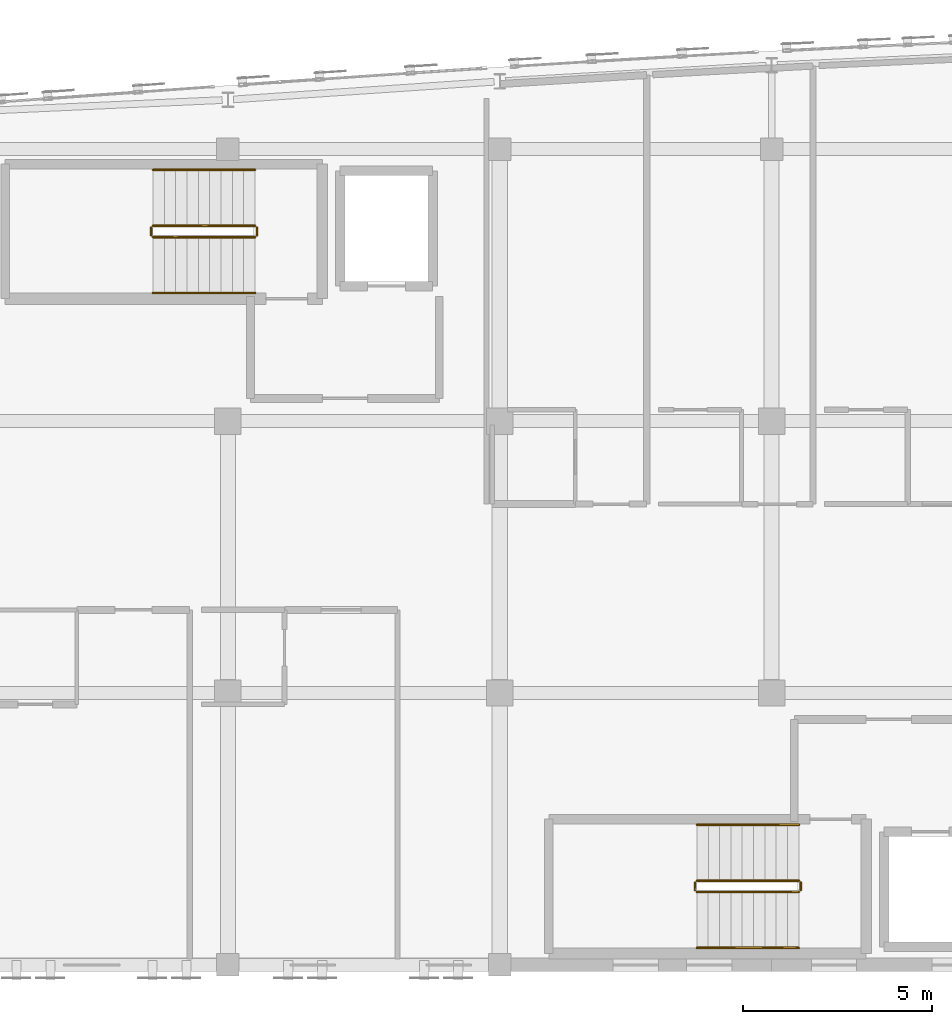
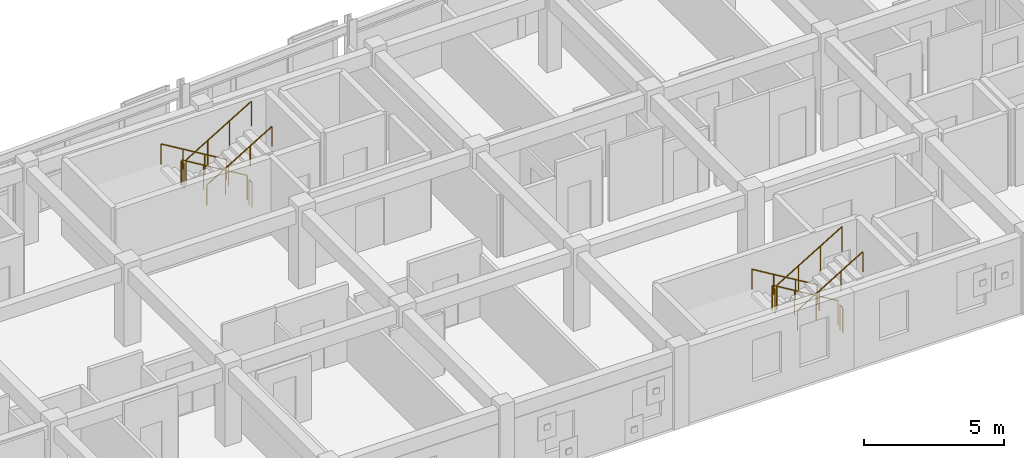
# One storey, part 47 of 48: 12 railings.
"""IFC4 building model written with IfcOpenShell, lengths in metres."""

from ifc_helpers import new_model, si_unit, direction, frame, origin, origin_2d, place, context, subcontext, project, spatial, circle, extrude, material, layer, layer_set, type_object, element, save


model = new_model("IFC4")

# Units and contexts
model_context = context("Model", 3, precision=1e-05, world=origin(), true_north=direction((0.0, 1.0)))
body_context = subcontext(model_context, "Body", "Model", "MODEL_VIEW")
ifc_project = project(units=[si_unit("LENGTHUNIT", "METRE"), si_unit("AREAUNIT", "SQUARE_METRE"), si_unit("VOLUMEUNIT", "CUBIC_METRE"), si_unit("PLANEANGLEUNIT", "RADIAN"), si_unit("MASSUNIT", "GRAM", prefix="KILO")], contexts=[model_context])

# Site, building, storey
site_placement = place(None, origin())
site = spatial("IfcSite", under=ifc_project, at=site_placement, CompositionType="ELEMENT")
building_placement = place(site_placement, origin())
building = spatial("IfcBuilding", under=site, at=building_placement, Name="Carrowvane Square Congress Hotel", CompositionType="ELEMENT")
storey_placement = place(building_placement, frame((0.0, 0.0, 26.39990234375)))
storey = spatial("IfcBuildingStorey", under=building, at=storey_placement, Name="L06", CompositionType="ELEMENT", Elevation=26.39990234375)

# Railings
ifc_material_1 = material(Name="Stainless steel 316", Category="steel")
ifc_layer_1 = layer(ifc_material_1, 0.048095703125)
ifc_layer_set_1 = layer_set([ifc_layer_1], Name="Stainless steel 316")
railing_type_1 = type_object("IfcRailingType", Name="RLG-HR-900", PredefinedType="HANDRAIL", material=ifc_layer_set_1)
railing_1_placement = place(storey_placement, frame((62.719970703125, 112.85009765625, 0.18017578125)))
element("IfcRailing", 1, at=railing_1_placement, inside=storey, type_object=railing_type_1, Name="L06 ST1 stair handrail 1", PredefinedType="HANDRAIL", context=body_context, shape_type="SweptSolid", body=[
    extrude(circle(Radius=0.02392578125, at=origin_2d()), frame((0.0, 0.0, 0.8759765625), z_axis=(-0.857506608807, 0.0, 0.514472949583), x_axis=(0.0, -1.0, 0.0)), (0.0, 0.0, 1.0), 3.148681640625),
    extrude(circle(Radius=0.02099609375, at=origin_2d()), origin(), (0.0, 0.0, 1.0), 0.851806640625),
    extrude(circle(Radius=0.02099609375, at=origin_2d()), frame((-0.89990234375, 0.0, 0.5400390625)), (0.0, 0.0, 1.0), 0.851806640625),
    extrude(circle(Radius=0.02099609375, at=origin_2d()), frame((-1.800048828125, 0.0, 1.079833984375)), (0.0, 0.0, 1.0), 0.851806640625),
    extrude(circle(Radius=0.02099609375, at=origin_2d()), frame((-2.699951171875, 0.0, 1.619873046875)), (0.0, 0.0, 1.0), 0.851806640625),
])
railing_2_placement = place(storey_placement, frame((60.02001953125, 109.590087890625, 1.97998046875)))
element("IfcRailing", 2, at=railing_2_placement, inside=storey, type_object=railing_type_1, Name="L06 ST1 stair handrail 2", PredefinedType="HANDRAIL", context=body_context, shape_type="SweptSolid", body=[
    extrude(circle(Radius=0.02392578125, at=origin_2d()), frame((0.0, 0.0, 0.8759765625), z_axis=(0.857472400752, 0.0, 0.514529962148), x_axis=(0.0, 1.0, 0.0)), (0.0, 0.0, 1.0), 3.148681640625),
    extrude(circle(Radius=0.02099609375, at=origin_2d()), origin(), (0.0, 0.0, 1.0), 0.851806640625),
    extrude(circle(Radius=0.02099609375, at=origin_2d()), frame((0.89990234375, 0.0, 0.5400390625)), (0.0, 0.0, 1.0), 0.851806640625),
    extrude(circle(Radius=0.02099609375, at=origin_2d()), frame((1.800048828125, 0.0, 1.080078125)), (0.0, 0.0, 1.0), 0.851806640625),
    extrude(circle(Radius=0.02099609375, at=origin_2d()), frame((2.699951171875, 0.0, 1.6201171875)), (0.0, 0.0, 1.0), 0.851806640625),
])
railing_3_placement = place(storey_placement, frame((77.1201171875, 95.510009765625, 0.18017578125)))
element("IfcRailing", 3, at=railing_3_placement, inside=storey, type_object=railing_type_1, Name="L06 ST2 stair handrail 1", PredefinedType="HANDRAIL", context=body_context, shape_type="SweptSolid", body=[
    extrude(circle(Radius=0.02392578125, at=origin_2d()), frame((0.0, 0.0, 0.8759765625), z_axis=(-0.857527130037, 0.0, 0.514438743924), x_axis=(0.0, -1.0, 0.0)), (0.0, 0.0, 1.0), 3.14892578125),
    extrude(circle(Radius=0.02099609375, at=origin_2d()), origin(), (0.0, 0.0, 1.0), 0.851806640625),
    extrude(circle(Radius=0.02099609375, at=origin_2d()), frame((-0.900146484375, 0.0, 0.5400390625)), (0.0, 0.0, 1.0), 0.851806640625),
    extrude(circle(Radius=0.02099609375, at=origin_2d()), frame((-1.800048828125, 0.0, 1.079833984375)), (0.0, 0.0, 1.0), 0.851806640625),
    extrude(circle(Radius=0.02099609375, at=origin_2d()), frame((-2.7001953125, 0.0, 1.619873046875)), (0.0, 0.0, 1.0), 0.851806640625),
])
railing_4_placement = place(storey_placement, frame((74.419921875, 92.25, 1.97998046875)))
element("IfcRailing", 4, at=railing_4_placement, inside=storey, type_object=railing_type_1, Name="L06 ST2 stair handrail 2", PredefinedType="HANDRAIL", context=body_context, shape_type="SweptSolid", body=[
    extrude(circle(Radius=0.02392578125, at=origin_2d()), frame((0.0, 0.0, 0.8759765625), z_axis=(0.857492925713, 0.0, 0.514495755428), x_axis=(0.0, 1.0, 0.0)), (0.0, 0.0, 1.0), 3.14892578125),
    extrude(circle(Radius=0.02099609375, at=origin_2d()), origin(), (0.0, 0.0, 1.0), 0.851806640625),
    extrude(circle(Radius=0.02099609375, at=origin_2d()), frame((0.900146484375, 0.0, 0.5400390625)), (0.0, 0.0, 1.0), 0.851806640625),
    extrude(circle(Radius=0.02099609375, at=origin_2d()), frame((1.800048828125, 0.0, 1.080078125)), (0.0, 0.0, 1.0), 0.851806640625),
    extrude(circle(Radius=0.02099609375, at=origin_2d()), frame((2.7001953125, 0.0, 1.6201171875)), (0.0, 0.0, 1.0), 0.851806640625),
])
ifc_material_2 = material(Name="Galvanised steel", Category="steel")
ifc_layer_2 = layer(ifc_material_2, 0.048095703125)
ifc_layer_set_2 = layer_set([ifc_layer_2], Name="Galvanised steel")
railing_type_2 = type_object("IfcRailingType", Name="RLG-STG-1100", PredefinedType="GUARDRAIL", material=ifc_layer_set_2)
railing_5_placement = place(storey_placement, frame((62.719970703125, 111.3701171875, 0.18017578125)))
element("IfcRailing", 5, at=railing_5_placement, inside=storey, type_object=railing_type_2, Name="L06 ST1 stair guard 1", PredefinedType="GUARDRAIL", context=body_context, shape_type="SweptSolid", body=[
    extrude(circle(Radius=0.02392578125, at=origin_2d()), frame((0.0, 0.0, 1.076171875), z_axis=(-0.857506608807, 0.0, 0.514472949583), x_axis=(0.0, -1.0, 0.0)), (0.0, 0.0, 1.0), 3.148681640625),
    extrude(circle(Radius=0.02099609375, at=origin_2d()), origin(), (0.0, 0.0, 1.0), 1.052001953125),
    extrude(circle(Radius=0.02099609375, at=origin_2d()), frame((-0.89990234375, 0.0, 0.5400390625)), (0.0, 0.0, 1.0), 1.052001953125),
    extrude(circle(Radius=0.02099609375, at=origin_2d()), frame((-1.800048828125, 0.0, 1.079833984375)), (0.0, 0.0, 1.0), 1.052001953125),
    extrude(circle(Radius=0.02099609375, at=origin_2d()), frame((-2.699951171875, 0.0, 1.619873046875)), (0.0, 0.0, 1.0), 1.052001953125),
])
railing_6_placement = place(storey_placement, frame((59.969970703125, 111.320068359375, 1.800048828125)))
element("IfcRailing", 6, at=railing_6_placement, inside=storey, type_object=railing_type_2, Name="L06 ST1 stair guard 2", PredefinedType="GUARDRAIL", context=body_context, shape_type="SweptSolid", body=[
    extrude(circle(Radius=0.02392578125, at=origin_2d()), frame((0.0, 0.0, 1.076171875), z_axis=(0.0, -1.0, 0.0), x_axis=(1.0, 0.0, 0.0)), (0.0, 0.0, 1.0), 0.199951171875),
    extrude(circle(Radius=0.02099609375, at=origin_2d()), origin(), (0.0, 0.0, 1.0), 1.052001953125),
    extrude(circle(Radius=0.02099609375, at=origin_2d()), frame((0.0, -0.199951171875, 0.0)), (0.0, 0.0, 1.0), 1.052001953125),
])
railing_7_placement = place(storey_placement, frame((60.02001953125, 111.070068359375, 1.97998046875)))
element("IfcRailing", 7, at=railing_7_placement, inside=storey, type_object=railing_type_2, Name="L06 ST1 stair guard 3", PredefinedType="GUARDRAIL", context=body_context, shape_type="SweptSolid", body=[
    extrude(circle(Radius=0.02392578125, at=origin_2d()), frame((0.0, 0.0, 1.076171875), z_axis=(0.857472400752, 0.0, 0.514529962148), x_axis=(0.0, 1.0, 0.0)), (0.0, 0.0, 1.0), 3.148681640625),
    extrude(circle(Radius=0.02099609375, at=origin_2d()), origin(), (0.0, 0.0, 1.0), 1.052001953125),
    extrude(circle(Radius=0.02099609375, at=origin_2d()), frame((0.89990234375, 0.0, 0.5400390625)), (0.0, 0.0, 1.0), 1.052001953125),
    extrude(circle(Radius=0.02099609375, at=origin_2d()), frame((1.800048828125, 0.0, 1.080078125)), (0.0, 0.0, 1.0), 1.052001953125),
    extrude(circle(Radius=0.02099609375, at=origin_2d()), frame((2.699951171875, 0.0, 1.6201171875)), (0.0, 0.0, 1.0), 1.052001953125),
])
railing_8_placement = place(storey_placement, frame((62.77001953125, 111.320068359375, 0.0)))
element("IfcRailing", 8, at=railing_8_placement, inside=storey, type_object=railing_type_2, Name="L06 ST1 stair guard 4", PredefinedType="GUARDRAIL", context=body_context, shape_type="SweptSolid", body=[
    extrude(circle(Radius=0.02392578125, at=origin_2d()), frame((0.0, 0.0, 1.076171875), z_axis=(0.0, -1.0, 0.0), x_axis=(1.0, 0.0, 0.0)), (0.0, 0.0, 1.0), 0.199951171875),
    extrude(circle(Radius=0.02099609375, at=origin_2d()), origin(), (0.0, 0.0, 1.0), 1.052001953125),
    extrude(circle(Radius=0.02099609375, at=origin_2d()), frame((0.0, -0.199951171875, 0.0)), (0.0, 0.0, 1.0), 1.052001953125),
])
railing_9_placement = place(storey_placement, frame((77.1201171875, 94.030029296875, 0.18017578125)))
element("IfcRailing", 9, at=railing_9_placement, inside=storey, type_object=railing_type_2, Name="L06 ST2 stair guard 1", PredefinedType="GUARDRAIL", context=body_context, shape_type="SweptSolid", body=[
    extrude(circle(Radius=0.02392578125, at=origin_2d()), frame((0.0, 0.0, 1.076171875), z_axis=(-0.857527130037, 0.0, 0.514438743924), x_axis=(0.0, -1.0, 0.0)), (0.0, 0.0, 1.0), 3.14892578125),
    extrude(circle(Radius=0.02099609375, at=origin_2d()), origin(), (0.0, 0.0, 1.0), 1.052001953125),
    extrude(circle(Radius=0.02099609375, at=origin_2d()), frame((-0.900146484375, 0.0, 0.5400390625)), (0.0, 0.0, 1.0), 1.052001953125),
    extrude(circle(Radius=0.02099609375, at=origin_2d()), frame((-1.800048828125, 0.0, 1.079833984375)), (0.0, 0.0, 1.0), 1.052001953125),
    extrude(circle(Radius=0.02099609375, at=origin_2d()), frame((-2.7001953125, 0.0, 1.619873046875)), (0.0, 0.0, 1.0), 1.052001953125),
])
railing_10_placement = place(storey_placement, frame((74.3701171875, 93.97998046875, 1.800048828125)))
element("IfcRailing", 10, at=railing_10_placement, inside=storey, type_object=railing_type_2, Name="L06 ST2 stair guard 2", PredefinedType="GUARDRAIL", context=body_context, shape_type="SweptSolid", body=[
    extrude(circle(Radius=0.02392578125, at=origin_2d()), frame((0.0, 0.0, 1.076171875), z_axis=(0.0, -1.0, 0.0), x_axis=(1.0, 0.0, 0.0)), (0.0, 0.0, 1.0), 0.199951171875),
    extrude(circle(Radius=0.02099609375, at=origin_2d()), origin(), (0.0, 0.0, 1.0), 1.052001953125),
    extrude(circle(Radius=0.02099609375, at=origin_2d()), frame((0.0, -0.199951171875, 0.0)), (0.0, 0.0, 1.0), 1.052001953125),
])
railing_11_placement = place(storey_placement, frame((74.419921875, 93.72998046875, 1.97998046875)))
element("IfcRailing", 11, at=railing_11_placement, inside=storey, type_object=railing_type_2, Name="L06 ST2 stair guard 3", PredefinedType="GUARDRAIL", context=body_context, shape_type="SweptSolid", body=[
    extrude(circle(Radius=0.02392578125, at=origin_2d()), frame((0.0, 0.0, 1.076171875), z_axis=(0.857492925713, 0.0, 0.514495755428), x_axis=(0.0, 1.0, 0.0)), (0.0, 0.0, 1.0), 3.14892578125),
    extrude(circle(Radius=0.02099609375, at=origin_2d()), origin(), (0.0, 0.0, 1.0), 1.052001953125),
    extrude(circle(Radius=0.02099609375, at=origin_2d()), frame((0.900146484375, 0.0, 0.5400390625)), (0.0, 0.0, 1.0), 1.052001953125),
    extrude(circle(Radius=0.02099609375, at=origin_2d()), frame((1.800048828125, 0.0, 1.080078125)), (0.0, 0.0, 1.0), 1.052001953125),
    extrude(circle(Radius=0.02099609375, at=origin_2d()), frame((2.7001953125, 0.0, 1.6201171875)), (0.0, 0.0, 1.0), 1.052001953125),
])
railing_12_placement = place(storey_placement, frame((77.169921875, 93.97998046875, 0.0)))
element("IfcRailing", 12, at=railing_12_placement, inside=storey, type_object=railing_type_2, Name="L06 ST2 stair guard 4", PredefinedType="GUARDRAIL", context=body_context, shape_type="SweptSolid", body=[
    extrude(circle(Radius=0.02392578125, at=origin_2d()), frame((0.0, 0.0, 1.076171875), z_axis=(0.0, -1.0, 0.0), x_axis=(1.0, 0.0, 0.0)), (0.0, 0.0, 1.0), 0.199951171875),
    extrude(circle(Radius=0.02099609375, at=origin_2d()), origin(), (0.0, 0.0, 1.0), 1.052001953125),
    extrude(circle(Radius=0.02099609375, at=origin_2d()), frame((0.0, -0.199951171875, 0.0)), (0.0, 0.0, 1.0), 1.052001953125),
])

save(model, "model.ifc")
